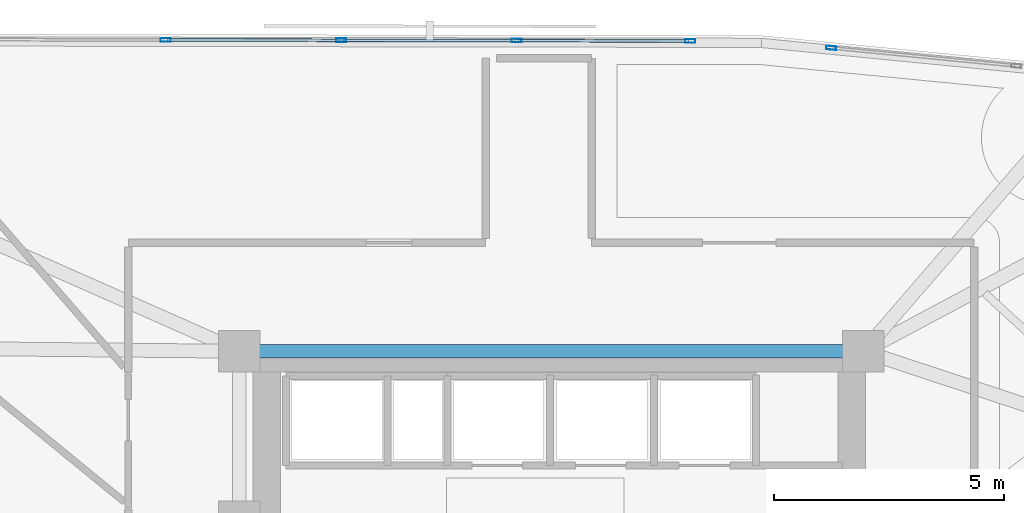
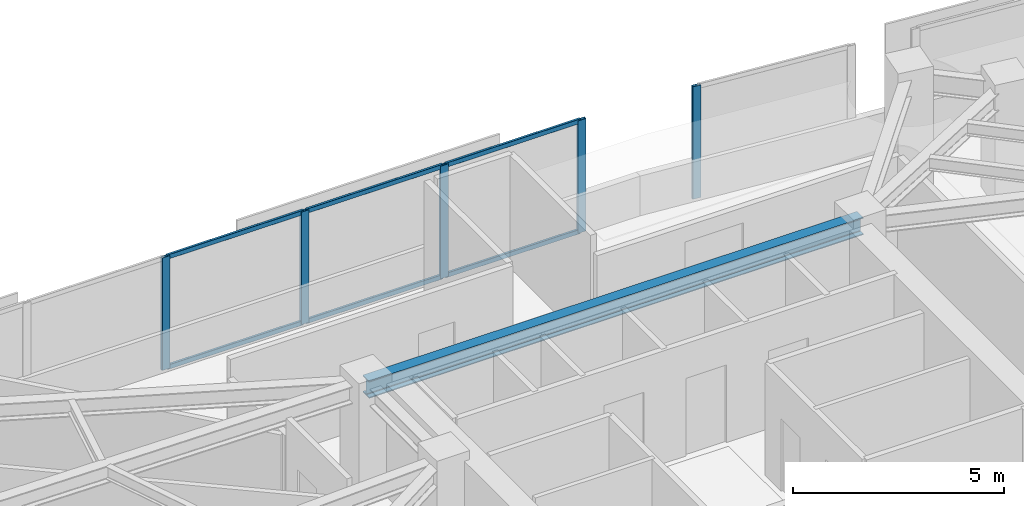
# One storey, part 3 of 13: 11 members, 1 beam, 2 elements without a shape of their own.
"""IFC4 building model written with IfcOpenShell, lengths in metres."""

from ifc_helpers import new_model, si_unit, direction, frame, origin, origin_2d, place, context, subcontext, project, spatial, hollow_rectangle, i_section, extrude, material, material_profile, profile_set, type_object, element, aggregate, save


model = new_model("IFC4")

# Units and contexts
model_context = context("Model", 3, precision=1e-05, world=origin(), true_north=direction((0.0, 1.0)))
body_context = subcontext(model_context, "Body", "Model", "MODEL_VIEW")
ifc_project = project(units=[si_unit("LENGTHUNIT", "METRE"), si_unit("AREAUNIT", "SQUARE_METRE"), si_unit("VOLUMEUNIT", "CUBIC_METRE"), si_unit("PLANEANGLEUNIT", "RADIAN"), si_unit("MASSUNIT", "GRAM", prefix="KILO")], contexts=[model_context])

# Site, building, storey
site_placement = place(None, origin())
site = spatial("IfcSite", under=ifc_project, at=site_placement, CompositionType="ELEMENT")
building_placement = place(site_placement, origin())
building = spatial("IfcBuilding", under=site, at=building_placement, Name="Narakoshi Arena Tower", CompositionType="ELEMENT")
storey_placement = place(building_placement, frame((0.0, 0.0, 243.139892578125)))
storey = spatial("IfcBuildingStorey", under=building, at=storey_placement, Name="L66", CompositionType="ELEMENT", Elevation=243.139892578125)

# Beam
ifc_material_1 = material(Name="Structural steel S355J2", Category="steel")
ifc_material_profile_1 = material_profile(ifc_material_1, i_section(OverallWidth=0.300048828125, OverallDepth=0.5, WebThickness=0.014404296875, FlangeThickness=0.028076171875, FilletRadius=0.027099609375, at=origin_2d()), Name="HE500B")
ifc_profile_set_1 = profile_set([ifc_material_profile_1], Name="Structural steel S355J2")
beam_type = type_object("IfcBeamType", Name="BM-PRI-500", PredefinedType="BEAM", material=ifc_profile_set_1)
beam_placement = place(storey_placement, frame((72.0, 56.5, 3.010009765625), z_axis=(1.0, 0.0, 0.0), x_axis=(0.0, 1.0, 0.0)))
element("IfcBeam", 1, at=beam_placement, inside=storey, type_object=beam_type, Name="L66 Core Perimeter Frame Beam CC5-CC6", PredefinedType="BEAM", context=body_context, shape_type="SweptSolid", body=[
    extrude(i_section(OverallWidth=0.300048828125, OverallDepth=0.5, WebThickness=0.014404296875, FlangeThickness=0.028076171875, FilletRadius=0.027099609375, at=origin_2d()), origin(), (0.0, 0.0, 1.0), 13.550048828125),
])

# Curtain wall, member
ifc_material_2 = material(Name="Anodised bronze aluminium 6063-T6", Category="aluminium")
curtain_wall_type = type_object("IfcCurtainWallType", Name="CW-HYP-HIGH", PredefinedType="NOTDEFINED", material=ifc_material_2)
curtain_wall_1_placement = place(storey_placement, origin())
curtain_wall_1 = element("IfcCurtainWall", 2, at=curtain_wall_1_placement, inside=storey, type_object=curtain_wall_type, Name="L66 Folded Hypotenuse Curtain Wall 1-2", PredefinedType="NOTDEFINED")
ifc_material_profile_2 = material_profile(ifc_material_2, hollow_rectangle(XDim=0.080078125, YDim=0.219970703125, WallThickness=0.0048828125, OuterFilletRadius=0.006103515625, at=origin_2d()), Name="MUL220x80x5")
ifc_profile_set_2 = profile_set([ifc_material_profile_2], Name="Anodised bronze aluminium 6063-T6")
member_type_1 = type_object("IfcMemberType", Name="MEM-MUL-220", PredefinedType="MULLION", material=ifc_profile_set_2)
member_1_placement = place(storey_placement, frame((84.853515625, 63.084716796875, 0.0), z_axis=(0.0, 0.0, 1.0), x_axis=(-0.096842858471, -0.995299683896, 0.0)))
member_1 = element("IfcMember", 3, at=member_1_placement, type_object=member_type_1, Name="CW-03 mullion 2", PredefinedType="MULLION", context=body_context, shape_type="SweptSolid", body=[
    extrude(hollow_rectangle(XDim=0.080078125, YDim=0.219970703125, WallThickness=0.0048828125, OuterFilletRadius=0.006103515625, at=origin_2d()), origin(), (0.0, 0.0, 1.0), 3.260009765625),
])
aggregate(curtain_wall_1, [member_1])

# Curtain wall, members
curtain_wall_2_placement = place(storey_placement, origin())
curtain_wall_2 = element("IfcCurtainWall", 4, at=curtain_wall_2_placement, inside=storey, type_object=curtain_wall_type, Name="L66 Folded Hypotenuse Curtain Wall 2-1", PredefinedType="NOTDEFINED")
member_2_placement = place(storey_placement, frame((81.792236328125, 63.236083984375, 0.0), z_axis=(0.0, 0.0, 1.0), x_axis=(-0.001819896899, -0.999998343986, 0.0)))
member_2 = element("IfcMember", 5, at=member_2_placement, type_object=member_type_1, Name="CW-03 mullion 1", PredefinedType="MULLION", context=body_context, shape_type="SweptSolid", body=[
    extrude(hollow_rectangle(XDim=0.080078125, YDim=0.219970703125, WallThickness=0.0048828125, OuterFilletRadius=0.006103515625, at=origin_2d()), origin(), (0.0, 0.0, 1.0), 3.260009765625),
])
member_3_placement = place(storey_placement, frame((78.0224609375, 63.242919921875, 0.0), z_axis=(0.0, 0.0, 1.0), x_axis=(-0.001819896899, -0.999998343986, 0.0)))
member_3 = element("IfcMember", 6, at=member_3_placement, type_object=member_type_1, Name="CW-03 mullion 2", PredefinedType="MULLION", context=body_context, shape_type="SweptSolid", body=[
    extrude(hollow_rectangle(XDim=0.080078125, YDim=0.219970703125, WallThickness=0.0048828125, OuterFilletRadius=0.006103515625, at=origin_2d()), origin(), (0.0, 0.0, 1.0), 3.260009765625),
])
member_4_placement = place(storey_placement, frame((74.212890625, 63.249755859375, 0.0), z_axis=(0.0, 0.0, 1.0), x_axis=(-0.001819896899, -0.999998343986, 0.0)))
member_4 = element("IfcMember", 7, at=member_4_placement, type_object=member_type_1, Name="CW-03 mullion 3", PredefinedType="MULLION", context=body_context, shape_type="SweptSolid", body=[
    extrude(hollow_rectangle(XDim=0.080078125, YDim=0.219970703125, WallThickness=0.0048828125, OuterFilletRadius=0.006103515625, at=origin_2d()), origin(), (0.0, 0.0, 1.0), 3.260009765625),
])
member_5_placement = place(storey_placement, frame((70.403076171875, 63.2568359375, 0.0), z_axis=(0.0, 0.0, 1.0), x_axis=(-0.001819896899, -0.999998343986, 0.0)))
member_5 = element("IfcMember", 8, at=member_5_placement, type_object=member_type_1, Name="CW-03 mullion 4", PredefinedType="MULLION", context=body_context, shape_type="SweptSolid", body=[
    extrude(hollow_rectangle(XDim=0.080078125, YDim=0.219970703125, WallThickness=0.0048828125, OuterFilletRadius=0.006103515625, at=origin_2d()), origin(), (0.0, 0.0, 1.0), 3.260009765625),
])
ifc_material_profile_3 = material_profile(ifc_material_2, hollow_rectangle(XDim=0.06494140625, YDim=0.1298828125, WallThickness=0.00390625, OuterFilletRadius=0.0048828125, at=origin_2d()), Name="TRN130x65x4")
ifc_profile_set_3 = profile_set([ifc_material_profile_3], Name="Anodised bronze aluminium 6063-T6")
member_type_2 = type_object("IfcMemberType", Name="MEM-TRN-130", PredefinedType="USERDEFINED", material=ifc_profile_set_3)
member_6_placement = place(storey_placement, frame((81.752197265625, 63.236083984375, 0.03271484375), z_axis=(-0.999998283738, 0.001852706408, 0.0), x_axis=(-0.001852706408, -0.999998283738, 0.0)))
member_6 = element("IfcMember", 9, at=member_6_placement, type_object=member_type_2, Name="CW-03 transom 1.1", ObjectType="TRANSOM", PredefinedType="USERDEFINED", context=body_context, shape_type="SweptSolid", body=[
    extrude(hollow_rectangle(XDim=0.06494140625, YDim=0.1298828125, WallThickness=0.00390625, OuterFilletRadius=0.0048828125, at=origin_2d()), origin(), (0.0, 0.0, 1.0), 3.689697265625),
])
member_7_placement = place(storey_placement, frame((81.752197265625, 63.236083984375, 3.2275390625), z_axis=(-0.999998283738, 0.001852706408, 0.0), x_axis=(-0.001852706408, -0.999998283738, 0.0)))
member_7 = element("IfcMember", 10, at=member_7_placement, type_object=member_type_2, Name="CW-03 transom 1.2", ObjectType="TRANSOM", PredefinedType="USERDEFINED", context=body_context, shape_type="SweptSolid", body=[
    extrude(hollow_rectangle(XDim=0.06494140625, YDim=0.1298828125, WallThickness=0.00390625, OuterFilletRadius=0.0048828125, at=origin_2d()), origin(), (0.0, 0.0, 1.0), 3.689697265625),
])
member_8_placement = place(storey_placement, frame((77.982666015625, 63.242919921875, 0.03271484375), z_axis=(-0.999998320389, 0.001832817502, 0.0), x_axis=(-0.001832817502, -0.999998320389, 0.0)))
member_8 = element("IfcMember", 11, at=member_8_placement, type_object=member_type_2, Name="CW-03 transom 2.1", ObjectType="TRANSOM", PredefinedType="USERDEFINED", context=body_context, shape_type="SweptSolid", body=[
    extrude(hollow_rectangle(XDim=0.06494140625, YDim=0.1298828125, WallThickness=0.00390625, OuterFilletRadius=0.0048828125, at=origin_2d()), origin(), (0.0, 0.0, 1.0), 3.729736328125),
])
member_9_placement = place(storey_placement, frame((77.982666015625, 63.242919921875, 3.2275390625), z_axis=(-0.999998320389, 0.001832817502, 0.0), x_axis=(-0.001832817502, -0.999998320389, 0.0)))
member_9 = element("IfcMember", 12, at=member_9_placement, type_object=member_type_2, Name="CW-03 transom 2.2", ObjectType="TRANSOM", PredefinedType="USERDEFINED", context=body_context, shape_type="SweptSolid", body=[
    extrude(hollow_rectangle(XDim=0.06494140625, YDim=0.1298828125, WallThickness=0.00390625, OuterFilletRadius=0.0048828125, at=origin_2d()), origin(), (0.0, 0.0, 1.0), 3.729736328125),
])
member_10_placement = place(storey_placement, frame((74.1728515625, 63.25, 0.03271484375), z_axis=(-0.999998320389, 0.001832817502, 0.0), x_axis=(-0.001832817502, -0.999998320389, 0.0)))
member_10 = element("IfcMember", 13, at=member_10_placement, type_object=member_type_2, Name="CW-03 transom 3.1", ObjectType="TRANSOM", PredefinedType="USERDEFINED", context=body_context, shape_type="SweptSolid", body=[
    extrude(hollow_rectangle(XDim=0.06494140625, YDim=0.1298828125, WallThickness=0.00390625, OuterFilletRadius=0.0048828125, at=origin_2d()), origin(), (0.0, 0.0, 1.0), 3.729736328125),
])
member_11_placement = place(storey_placement, frame((74.1728515625, 63.25, 3.2275390625), z_axis=(-0.999998320389, 0.001832817502, 0.0), x_axis=(-0.001832817502, -0.999998320389, 0.0)))
member_11 = element("IfcMember", 14, at=member_11_placement, type_object=member_type_2, Name="CW-03 transom 3.2", ObjectType="TRANSOM", PredefinedType="USERDEFINED", context=body_context, shape_type="SweptSolid", body=[
    extrude(hollow_rectangle(XDim=0.06494140625, YDim=0.1298828125, WallThickness=0.00390625, OuterFilletRadius=0.0048828125, at=origin_2d()), origin(), (0.0, 0.0, 1.0), 3.729736328125),
])
aggregate(curtain_wall_2, [member_2, member_3, member_4, member_5, member_6, member_7, member_8, member_9, member_10, member_11])

save(model, "model.ifc")
